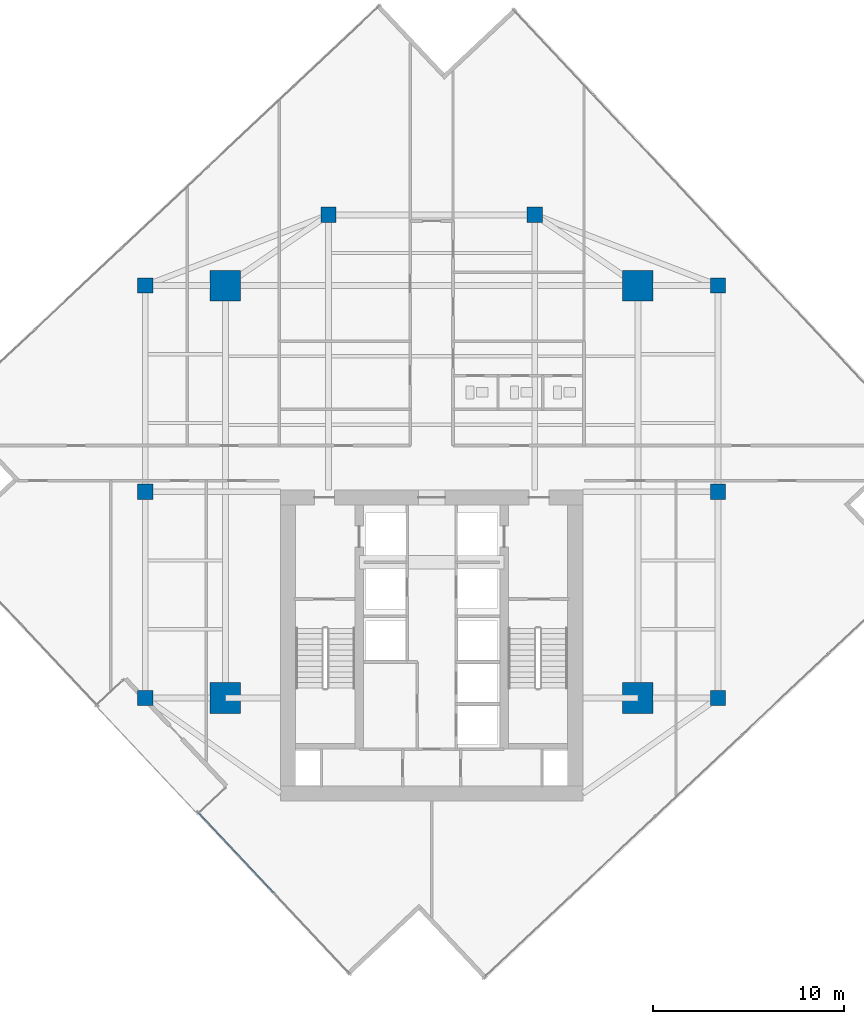
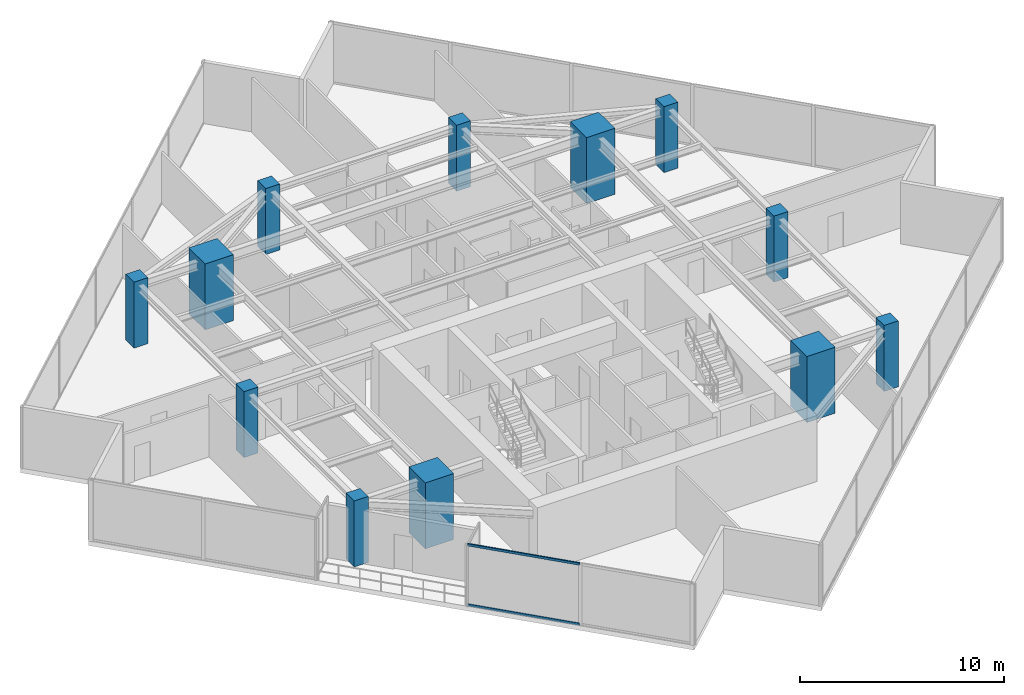
# One storey, part 1 of 25: 12 columns, 2 members, 1 element without a shape of its own.
"""IFC4 building model written with IfcOpenShell, lengths in metres."""

from ifc_helpers import new_model, si_unit, direction, frame, origin, origin_2d, place, context, subcontext, project, spatial, rectangle, hollow_rectangle, extrude, source, transform, mapped, material, material_profile, profile_set, type_object, type_shapes, element, aggregate, save


model = new_model("IFC4")

# Units and contexts
model_context = context("Model", 3, precision=1e-05, world=origin(), true_north=direction((0.0, 1.0)))
body_context = subcontext(model_context, "Body", "Model", "MODEL_VIEW")
ifc_project = project(units=[si_unit("LENGTHUNIT", "METRE"), si_unit("AREAUNIT", "SQUARE_METRE"), si_unit("VOLUMEUNIT", "CUBIC_METRE"), si_unit("PLANEANGLEUNIT", "RADIAN"), si_unit("MASSUNIT", "GRAM", prefix="KILO")], contexts=[model_context])

# Site, building, storey
site_placement = place(None, origin())
site = spatial("IfcSite", under=ifc_project, at=site_placement, CompositionType="ELEMENT")
building_placement = place(site_placement, origin())
building = spatial("IfcBuilding", under=site, at=building_placement, Name="Krantzveldt Concourse Tower", CompositionType="ELEMENT")
storey_placement = place(building_placement, frame((0.0, 0.0, 238.89990234375)))
storey = spatial("IfcBuildingStorey", under=building, at=storey_placement, Name="L58", CompositionType="ELEMENT", Elevation=238.89990234375)

# Columns
ifc_material_1 = material(Name="Concrete C50/60", Category="concrete")
ifc_material_profile_1 = material_profile(ifc_material_1, rectangle(XDim=1.60009765625, YDim=1.60009765625, at=origin_2d()), Name="Concrete C50/60", Category="concrete")
ifc_profile_set_1 = profile_set([ifc_material_profile_1], Name="Concrete C50/60 - RC 1600x1600")
column_type_1 = type_object("IfcColumnType", Name="COL-MC-1600", PredefinedType="USERDEFINED", material=ifc_profile_set_1)
shared_shape_1 = source(origin(), body_context, "Body", "SweptSolid", [
    extrude(rectangle(XDim=1.60009765625, YDim=1.60009765625, at=origin_2d()), origin(), (0.0, 0.0, 1.0), 3.9501953125),
])
type_shapes(column_type_1, [shared_shape_1])
for number, where, z_axis, x_axis, name in (
    (1, (25.199951171875, 15.89990234375, 0.0), (0.0, 0.0, 1.0), (1.0, 0.0, 0.0), "MC-SW-L58"),
    (2, (46.800048828125, 15.89990234375, 0.0), (0.0, 0.0, 1.0), (1.0, 0.0, 0.0), "MC-SE-L58"),
    (3, (46.800048828125, 37.5, 0.0), (0.0, 0.0, 1.0), (1.0, 0.0, 0.0), "MC-NE-L58"),
    (4, (25.199951171875, 37.5, 0.0), (0.0, 0.0, 1.0), (1.0, 0.0, 0.0), "MC-NW-L58"),
):
    element("IfcColumn", number, at=place(storey_placement, frame(where, z_axis=z_axis, x_axis=x_axis)), inside=storey, type_object=column_type_1, Name=name, ObjectType="MEGA COLUMN", PredefinedType="USERDEFINED", context=body_context, shape_type="MappedRepresentation", body=[
        mapped(shared_shape_1, transform((0.0, 0.0, 0.0), x_axis=(1.0, 0.0, 0.0), y_axis=(0.0, 1.0, 0.0), z_axis=(0.0, 0.0, 1.0), scale=1.0)),
    ])
ifc_material_profile_2 = material_profile(ifc_material_1, rectangle(XDim=0.800048828125, YDim=0.800048828125, at=origin_2d()), Name="Concrete C50/60", Category="concrete")
ifc_profile_set_2 = profile_set([ifc_material_profile_2], Name="Concrete C50/60 - RC 800x800")
column_type_2 = type_object("IfcColumnType", Name="COL-C-Z4", PredefinedType="COLUMN", material=ifc_profile_set_2)
shared_shape_2 = source(origin(), body_context, "Body", "SweptSolid", [
    extrude(rectangle(XDim=0.800048828125, YDim=0.800048828125, at=origin_2d()), origin(), (0.0, 0.0, 1.0), 3.9501953125),
])
type_shapes(column_type_2, [shared_shape_2])
for number, where, z_axis, x_axis, name in (
    (5, (21.0, 15.89990234375, 0.0), (0.0, 0.0, 1.0), (1.0, 0.0, 0.0), "PC-R01-L58"),
    (6, (21.0, 26.699951171875, 0.0), (0.0, 0.0, 1.0), (1.0, 0.0, 0.0), "PC-R02-L58"),
    (7, (21.0, 37.5, 0.0), (0.0, 0.0, 1.0), (1.0, 0.0, 0.0), "PC-R03-L58"),
    (8, (30.60009765625, 41.199951171875, 0.0), (0.0, 0.0, 1.0), (1.0, 0.0, 0.0), "PC-R04-L58"),
    (9, (41.39990234375, 41.199951171875, 0.0), (0.0, 0.0, 1.0), (1.0, 0.0, 0.0), "PC-R05-L58"),
    (10, (51.0, 37.5, 0.0), (0.0, 0.0, 1.0), (1.0, 0.0, 0.0), "PC-R06-L58"),
    (11, (51.0, 26.699951171875, 0.0), (0.0, 0.0, 1.0), (1.0, 0.0, 0.0), "PC-R07-L58"),
    (12, (51.0, 15.89990234375, 0.0), (0.0, 0.0, 1.0), (1.0, 0.0, 0.0), "PC-R08-L58"),
):
    element("IfcColumn", number, at=place(storey_placement, frame(where, z_axis=z_axis, x_axis=x_axis)), inside=storey, type_object=column_type_2, Name=name, PredefinedType="COLUMN", context=body_context, shape_type="MappedRepresentation", body=[
        mapped(shared_shape_2, transform((0.0, 0.0, 0.0), x_axis=(1.0, 0.0, 0.0), y_axis=(0.0, 1.0, 0.0), z_axis=(0.0, 0.0, 1.0), scale=1.0)),
    ])

# Curtain wall, members
ifc_material_2 = material(Name="Anodised aluminium 6063-T6", Category="aluminium")
curtain_wall_type = type_object("IfcCurtainWallType", Name="CW3", PredefinedType="USERDEFINED", material=ifc_material_2)
curtain_wall_placement = place(storey_placement, origin())
curtain_wall = element("IfcCurtainWall", 13, at=curtain_wall_placement, inside=storey, type_object=curtain_wall_type, Name="CW-L58-F08", ObjectType="UNITISED CURTAIN WALL", PredefinedType="USERDEFINED")
ifc_material_profile_3 = material_profile(ifc_material_2, hollow_rectangle(XDim=0.070068359375, YDim=0.139892578125, WallThickness=0.0048828125, at=origin_2d()), Name="Anodised aluminium 6063-T6", Category="aluminium")
ifc_profile_set_3 = profile_set([ifc_material_profile_3], Name="Anodised aluminium 6063-T6 - ALU-TRAN 140x70x5")
member_type = type_object("IfcMemberType", Name="CW-TRN-150", PredefinedType="USERDEFINED", material=ifc_profile_set_3)
shared_shape_3 = source(origin(), body_context, "Body", "SweptSolid", [
    extrude(hollow_rectangle(XDim=0.070068359375, YDim=0.139892578125, WallThickness=0.0048828125, at=origin_2d()), origin(), (0.0, 0.0, 1.0), 5.744873046875),
])
type_shapes(member_type, [shared_shape_3])
member_1_placement = place(storey_placement, frame((23.78564453125, 9.896728515625, 0.03515625), z_axis=(0.685167163665, -0.728385857795, 0.0), x_axis=(0.728385857795, 0.685167163665, 0.0)))
member_1 = element("IfcMember", 14, at=member_1_placement, type_object=member_type, Name="CW-Z34 transom 1.1", ObjectType="TRANSOM", PredefinedType="USERDEFINED", context=body_context, shape_type="MappedRepresentation", body=[
    mapped(shared_shape_3, transform((0.0, 0.0, 0.0), x_axis=(1.0, 0.0, 0.0), y_axis=(0.0, 1.0, 0.0), z_axis=(0.0, 0.0, 1.0), scale=1.0)),
])
member_2_placement = place(storey_placement, frame((23.78564453125, 9.896728515625, 3.635009765625), z_axis=(0.685167163665, -0.728385857795, 0.0), x_axis=(0.728385857795, 0.685167163665, 0.0)))
member_2 = element("IfcMember", 15, at=member_2_placement, type_object=member_type, Name="CW-Z34 transom 1.2", ObjectType="TRANSOM", PredefinedType="USERDEFINED", context=body_context, shape_type="MappedRepresentation", body=[
    mapped(shared_shape_3, transform((0.0, 0.0, 0.0), x_axis=(1.0, 0.0, 0.0), y_axis=(0.0, 1.0, 0.0), z_axis=(0.0, 0.0, 1.0), scale=1.0)),
])
aggregate(curtain_wall, [member_1, member_2])

save(model, "model.ifc")
